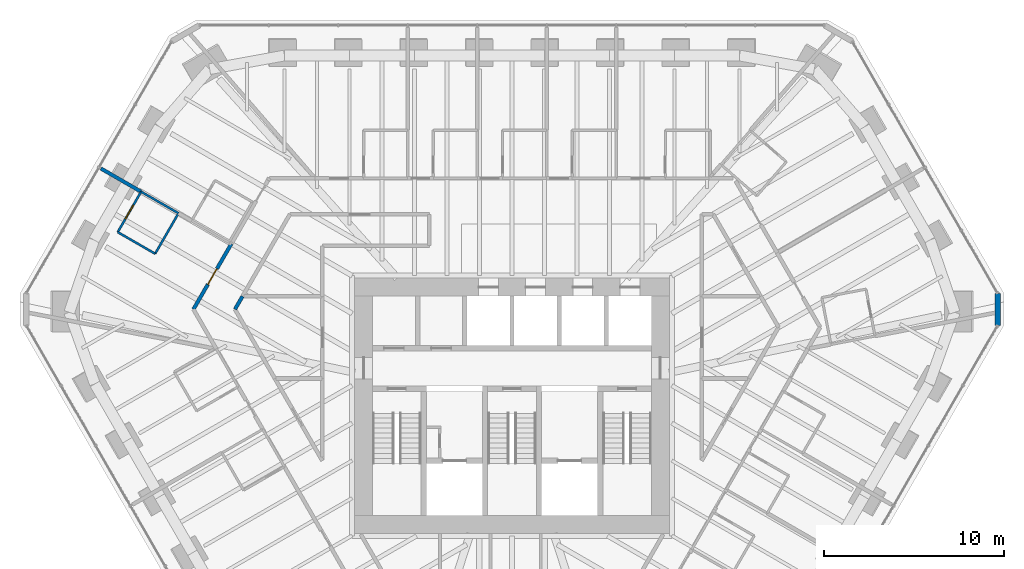
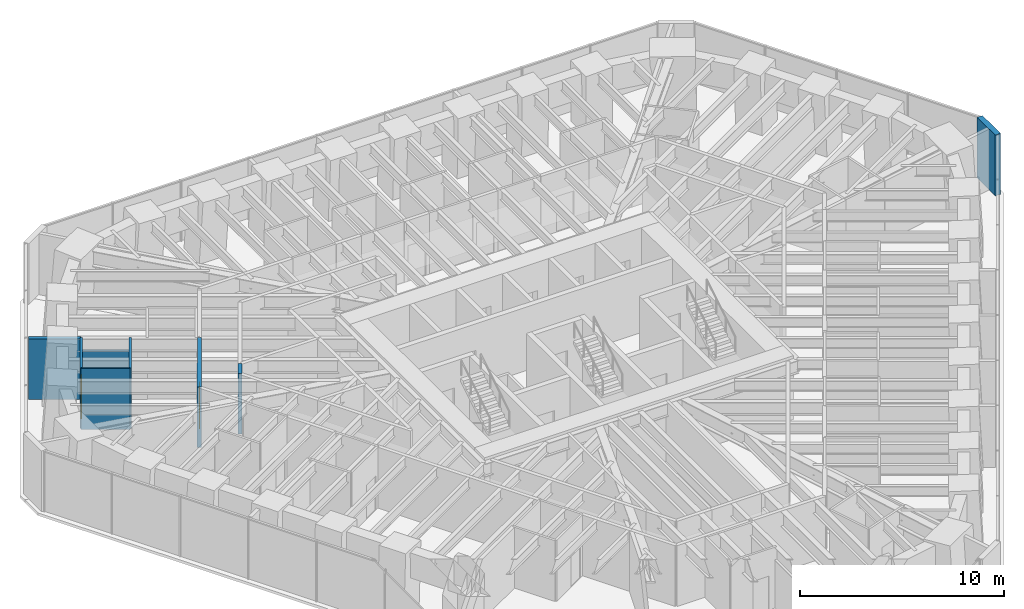
# One storey, part 14 of 17: 8 walls, 2 doors, 2 openings.
"""IFC4 building model written with IfcOpenShell, lengths in metres."""

import ifcopenshell
import ifcopenshell.guid

model = None  # the IFC model being written
_history = None  # IfcOwnerHistory: only IFC2X3 demands one
_inside = {}  # id of a spatial element -> (the spatial element, [elements in it])
_under = {}  # id of a project, library or spatial element -> (it, [spatial elements below it])
_declared = {}  # id of a project -> (the project, [libraries it declares])
_typed = {}  # id of a type object -> (the type object, [elements of that type])
_made_of = {}  # id of a material, layer set ... -> (it, [elements and type objects made of it])


def new_model(schema):
    """Start an empty IFC model of exactly this schema.

    Asked for "IFC4X3", IfcOpenShell would pick the latest addendum, in which some entities
    have other attributes; the version numbers below select the first issue.
    IFC2X3 requires an IfcOwnerHistory on every rooted entity: one is made here for all.
    """
    global model, _history
    if schema == "IFC4X3":
        model = ifcopenshell.file(schema_version=(4, 3, 0, 0))
    else:
        model = ifcopenshell.file(schema=schema)
    _inside.clear()
    _under.clear()
    _declared.clear()
    _typed.clear()
    _made_of.clear()
    _history = None
    if model.schema == "IFC2X3":
        org = make("IfcOrganization", Name="unknown")
        user = make(
            "IfcPersonAndOrganization",
            ThePerson=make("IfcPerson", FamilyName="unknown"),
            TheOrganization=org,
        )
        app = make(
            "IfcApplication",
            ApplicationDeveloper=org,
            Version="unknown",
            ApplicationFullName="unknown",
            ApplicationIdentifier="unknown",
        )
        _history = make(
            "IfcOwnerHistory",
            OwningUser=user,
            OwningApplication=app,
            ChangeAction="ADDED",
            CreationDate=0,
        )
    return model


def make(cls, **values):
    """One entity of the class cls with the attributes given. An attribute that is None is left unset."""
    return model.create_entity(
        cls, **{name: value for name, value in values.items() if value is not None}
    )


def rooted(cls, **values):
    """An entity with a GlobalId (a new one), such as an element, a storey or a relation."""
    return make(cls, GlobalId=ifcopenshell.guid.new(), OwnerHistory=_history, **values)


def si_unit(unit_type, name, prefix=None):
    """IfcSIUnit, for example si_unit("LENGTHUNIT", "METRE", prefix="MILLI")."""
    return make("IfcSIUnit", UnitType=unit_type, Prefix=prefix, Name=name)


def assignment(units):
    """IfcUnitAssignment: the units of a project."""
    return None if units is None else make("IfcUnitAssignment", Units=units)


def point(xyz):
    """IfcCartesianPoint."""
    return None if xyz is None else make("IfcCartesianPoint", Coordinates=xyz)


def direction(xyz):
    """IfcDirection."""
    return None if xyz is None else make("IfcDirection", DirectionRatios=xyz)


def frame(location, z_axis=None, x_axis=None):
    """IfcAxis2Placement3D, a coordinate frame: its origin and axes. An axis left out is left unset."""
    return make(
        "IfcAxis2Placement3D",
        Location=point(location),
        Axis=direction(z_axis),
        RefDirection=direction(x_axis),
    )


def frame_2d(location, x_axis=None):
    """IfcAxis2Placement2D, a coordinate frame in the plane: its origin and x axis."""
    return make(
        "IfcAxis2Placement2D", Location=point(location), RefDirection=direction(x_axis)
    )


def origin():
    """The frame at (0, 0, 0) with its axes left unset."""
    return frame((0.0, 0.0, 0.0))


def place(relative_to, where):
    """IfcLocalPlacement: puts the frame where relative to a parent placement (None: the world)."""
    return make(
        "IfcLocalPlacement", PlacementRelTo=relative_to, RelativePlacement=where
    )


def context(
    kind, dimensions, precision=None, world=None, true_north=None, identifier=None
):
    """IfcGeometricRepresentationContext, for example the 3D "Model" context."""
    return make(
        "IfcGeometricRepresentationContext",
        ContextIdentifier=identifier,
        ContextType=kind,
        CoordinateSpaceDimension=dimensions,
        Precision=precision,
        WorldCoordinateSystem=world,
        TrueNorth=true_north,
    )


def subcontext(parent, identifier, kind, view, scale=None):
    """IfcGeometricRepresentationSubContext, for example "Body" below "Model"."""
    return make(
        "IfcGeometricRepresentationSubContext",
        ContextIdentifier=identifier,
        ContextType=kind,
        ParentContext=parent,
        TargetScale=scale,
        TargetView=view,
    )


def project(units=None, contexts=None):
    """IfcProject with its units and contexts."""
    return rooted(
        "IfcProject",
        Name="project",
        RepresentationContexts=contexts,
        UnitsInContext=assignment(units),
    )


def spatial(cls, under=None, at=None, **own):
    """A site, building, storey or space (cls), placed at a placement, below another one or the project."""
    s = rooted(cls, ObjectPlacement=at, **own)
    if under is not None:
        _under.setdefault(under.id(), (under, []))[1].append(s)
    return s


def profile(cls, at=None, kind="AREA", **sizes):
    """A parametric profile (cls). Its sizes go by their IFC names, for example OverallWidth=200.0."""
    return make(cls, ProfileType=kind, Position=at, **sizes)


def rectangle(**sizes):
    """IfcRectangleProfileDef."""
    return profile("IfcRectangleProfileDef", **sizes)


def extrude(swept, where, along, depth):
    """IfcExtrudedAreaSolid: the profile swept, set in the frame where, extruded along a direction by depth."""
    return make(
        "IfcExtrudedAreaSolid",
        SweptArea=swept,
        Position=where,
        ExtrudedDirection=direction(along),
        Depth=depth,
    )


def shape(context_of_items, identifier, shape_type, items):
    """IfcShapeRepresentation: the items that make up one representation, for example the "Body"."""
    return make(
        "IfcShapeRepresentation",
        ContextOfItems=context_of_items,
        RepresentationIdentifier=identifier,
        RepresentationType=shape_type,
        Items=items,
    )


def material(Name=None, Category=None):
    """IfcMaterial."""
    return make("IfcMaterial", Name=Name, Category=Category)


def layer(
    of_material, thickness, ventilated=None, Name=None, Category=None, Priority=None
):
    """IfcMaterialLayer: one layer of a wall or slab, of a material (None: an air gap)."""
    return make(
        "IfcMaterialLayer",
        Material=of_material,
        LayerThickness=thickness,
        IsVentilated=ventilated,
        Name=Name,
        Category=Category,
        Priority=Priority,
    )


def layer_set(layers, Name=None):
    """IfcMaterialLayerSet."""
    return make("IfcMaterialLayerSet", MaterialLayers=layers, LayerSetName=Name)


def made_of(thing, what):
    """Note that an element or type object is made of a material, layer set ...; save() writes the relation."""
    if what is not None:
        _made_of.setdefault(what.id(), (what, []))[1].append(thing)
    return thing


def type_object(cls, material=None, **own):
    """A type object (cls), such as IfcWallType, which elements share."""
    return made_of(rooted(cls, **own), material)


def element(
    cls,
    number,
    at=None,
    inside=None,
    cuts=None,
    type_object=None,
    material=None,
    context=None,
    identifier="Body",
    shape_type=None,
    held_by="IfcProductDefinitionShape",
    body=None,
    shapes=None,
    **own,
):
    """One element of the class cls, such as IfcWall. Its Tag is "e" and its number.

    at: its placement. inside: the storey or other place that contains it. cuts: it is an
    opening in that element (IfcRelVoidsElement). A single representation is given by context,
    identifier, shape_type and body (its items); several are given by shapes. held_by: the class
    of the entity that holds the representations. save() writes the other relations.
    """
    e = rooted(cls, Tag="e%d" % number, ObjectPlacement=at, **own)
    if body is not None:
        shapes = [shape(context, identifier, shape_type, body)]
    if shapes is not None:
        e.Representation = make(held_by, Representations=shapes)
    if inside is not None:
        _inside.setdefault(inside.id(), (inside, []))[1].append(e)
    if cuts is not None:
        rooted(
            "IfcRelVoidsElement", RelatingBuildingElement=cuts, RelatedOpeningElement=e
        )
    if type_object is not None:
        _typed.setdefault(type_object.id(), (type_object, []))[1].append(e)
    return made_of(e, material)


def fill(opening, filler):
    """IfcRelFillsElement: the door or window that sits in an opening."""
    return rooted(
        "IfcRelFillsElement",
        RelatingOpeningElement=opening,
        RelatedBuildingElement=filler,
    )


def aggregate(whole, parts):
    """IfcRelAggregates: a whole, such as a stair, and the parts it consists of."""
    return rooted("IfcRelAggregates", RelatingObject=whole, RelatedObjects=parts)


def save(model, path):
    """Write the relations noted so far, then the file.

    IfcRelAggregates (storeys below a building ...), IfcRelContainedInSpatialStructure (elements
    in a storey), IfcRelDefinesByType, IfcRelAssociatesMaterial and IfcRelDeclares: one each for
    every whole, place, type object, material and project.
    """
    for whole, parts in _under.values():
        aggregate(whole, parts)
    for where, things in _inside.values():
        rooted(
            "IfcRelContainedInSpatialStructure",
            RelatedElements=things,
            RelatingStructure=where,
        )
    for kind, things in _typed.values():
        rooted("IfcRelDefinesByType", RelatedObjects=things, RelatingType=kind)
    for what, things in _made_of.values():
        rooted("IfcRelAssociatesMaterial", RelatedObjects=things, RelatingMaterial=what)
    for by, libraries in _declared.values():
        rooted("IfcRelDeclares", RelatingContext=by, RelatedDefinitions=libraries)
    model.write(path)


model = new_model("IFC4")

# Units and contexts
model_context = context("Model", 3, precision=1e-05, world=origin(), true_north=direction((0.0, 1.0)))
body_context = subcontext(model_context, "Body", "Model", "MODEL_VIEW")
ifc_project = project(units=[si_unit("LENGTHUNIT", "METRE"), si_unit("AREAUNIT", "SQUARE_METRE"), si_unit("VOLUMEUNIT", "CUBIC_METRE"), si_unit("PLANEANGLEUNIT", "RADIAN"), si_unit("MASSUNIT", "GRAM", prefix="KILO")], contexts=[model_context])

# Site, building, storey
site_placement = place(None, origin())
site = spatial("IfcSite", under=ifc_project, at=site_placement, CompositionType="ELEMENT")
building_placement = place(site_placement, origin())
building = spatial("IfcBuilding", under=site, at=building_placement, Name="Sandreach Pilgrim Tower", CompositionType="ELEMENT")
storey_placement = place(building_placement, frame((0.0, 0.0, 236.39990234375)))
storey = spatial("IfcBuildingStorey", under=building, at=storey_placement, Name="L59", CompositionType="ELEMENT", Elevation=236.39990234375)

# Wall
ifc_material_1 = material(Name="Moisture-resistant gypsum board on steel studs", Category="steel")
ifc_layer_1 = layer(ifc_material_1, 0.1201171875)
ifc_layer_set_1 = layer_set([ifc_layer_1], Name="Bathroom partition 120")
wall_type_1 = type_object("IfcWallType", Name="Bathroom partition 120", PredefinedType="PARTITIONING", material=ifc_layer_set_1)
wall_1_placement = place(storey_placement, frame((-21.929931640625, 9.659912109375, 0.0), z_axis=(0.0, 0.0, 1.0), x_axis=(0.866177122335, -0.499737123639, 0.0)))
element("IfcWall", 1, at=wall_1_placement, inside=storey, type_object=wall_type_1, Name="Bathroom partition L59-003", PredefinedType="PARTITIONING", context=body_context, shape_type="SweptSolid", body=[
    extrude(rectangle(XDim=2.401123046875, YDim=0.1201171875, at=frame_2d((1.20068359375, 0.0))), origin(), (0.0, 0.0, 1.0), 3.64013671875),
])

# Wall, opening, door
wall_2_placement = place(storey_placement, frame((-20.6298828125, 11.909912109375, 0.0), z_axis=(0.0, 0.0, 1.0), x_axis=(-0.500291685314, -0.865856933682, 0.0)))
wall_2 = element("IfcWall", 2, at=wall_2_placement, inside=storey, type_object=wall_type_1, Name="Bathroom partition L59-005", PredefinedType="PARTITIONING", context=body_context, shape_type="SweptSolid", body=[
    extrude(rectangle(XDim=2.5986328125, YDim=0.1201171875, at=frame_2d((1.29931640625, 0.0))), origin(), (0.0, 0.0, 1.0), 3.64013671875),
])
opening_1_placement = place(wall_2_placement, frame((0.85009765625, 0.0, 0.0)))
opening_1 = element("IfcOpeningElement", 3, at=opening_1_placement, cuts=wall_2, Name="Opening D09-18B", PredefinedType="OPENING", context=body_context, shape_type="SweptSolid", body=[
    extrude(rectangle(XDim=0.89990234375, YDim=2.030029296875, at=frame_2d((0.449951171875, 1.01513671875))), frame((0.0, 0.06005859375, 0.0), z_axis=(0.0, -1.0, 0.0), x_axis=(1.0, 0.0, 0.0)), (0.0, 0.0, 1.0), 0.1201171875),
])
ifc_material_2 = material(Name="Timber door, steel frame", Category="steel")
door_type_1 = type_object("IfcDoorType", Name="Bathroom door", OperationType="SINGLE_SWING_LEFT", PredefinedType="DOOR", material=ifc_material_2)
door_1_placement = place(opening_1_placement, origin())
door_1 = element("IfcDoor", 4, at=door_1_placement, inside=storey, type_object=door_type_1, Name="Door 5918B", OperationType="SINGLE_SWING_LEFT", OverallHeight=2.030029296875, OverallWidth=0.89990234375, PredefinedType="DOOR", context=body_context, shape_type="SweptSolid", body=[
    extrude(rectangle(XDim=0.89990234375, YDim=2.030029296875, at=frame_2d((0.449951171875, 1.01513671875))), frame((0.0, 0.02490234375, 0.0), z_axis=(0.0, -1.0, 0.0), x_axis=(1.0, 0.0, 0.0)), (0.0, 0.0, 1.0), 0.050048828125),
])
fill(opening_1, door_1)

# Walls
wall_3_placement = place(storey_placement, frame((-20.6298828125, 11.909912109375, 0.0), z_axis=(0.0, 0.0, 1.0), x_axis=(0.866177122335, -0.499737123639, 0.0)))
element("IfcWall", 5, at=wall_3_placement, inside=storey, type_object=wall_type_1, Name="Bathroom partition L59-006", PredefinedType="PARTITIONING", context=body_context, shape_type="SweptSolid", body=[
    extrude(rectangle(XDim=2.401123046875, YDim=0.1201171875, at=frame_2d((1.20068359375, 0.0))), origin(), (0.0, 0.0, 1.0), 2.878173828125),
])
wall_4_placement = place(storey_placement, frame((-19.85009765625, 8.4599609375, 0.0), z_axis=(0.0, 0.0, 1.0), x_axis=(0.500291685314, 0.865856933682, 0.0)))
element("IfcWall", 6, at=wall_4_placement, inside=storey, type_object=wall_type_1, Name="Bathroom partition L59-007", PredefinedType="PARTITIONING", context=body_context, shape_type="SweptSolid", body=[
    extrude(rectangle(XDim=2.5986328125, YDim=0.1201171875, at=frame_2d((1.29931640625, 0.0))), origin(), (0.0, 0.0, 1.0), 3.64013671875),
])

# Wall, opening, door
ifc_material_3 = material(Name="Gypsum board on steel studs, two layers each side", Category="steel")
ifc_layer_2 = layer(ifc_material_3, 0.199951171875)
ifc_layer_set_2 = layer_set([ifc_layer_2], Name="Corridor wall 200")
wall_type_2 = type_object("IfcWallType", Name="Corridor wall 200", PredefinedType="PARTITIONING", material=ifc_layer_set_2)
wall_5_placement = place(storey_placement, frame((-17.719970703125, 5.3701171875, 0.0), z_axis=(0.0, 0.0, 1.0), x_axis=(0.501491408171, 0.865162624904, 0.0)))
wall_5 = element("IfcWall", 7, at=wall_5_placement, inside=storey, type_object=wall_type_2, Name="Corridor wall L59-012", PredefinedType="PARTITIONING", context=body_context, shape_type="SweptSolid", body=[
    extrude(rectangle(XDim=4.207275390625, YDim=0.199951171875, at=frame_2d((2.103515625, 0.0))), origin(), (0.0, 0.0, 1.0), 3.64013671875),
])
opening_2_placement = place(wall_5_placement, frame((1.603759765625, 0.0, 0.0)))
opening_2 = element("IfcOpeningElement", 8, at=opening_2_placement, cuts=wall_5, Name="Opening D10-18", PredefinedType="OPENING", context=body_context, shape_type="SweptSolid", body=[
    extrude(rectangle(XDim=1.0, YDim=2.1298828125, at=frame_2d((0.5, 1.06494140625))), frame((0.0, 0.10009765625, 0.0), z_axis=(0.0, -1.0, 0.0), x_axis=(1.0, 0.0, 0.0)), (0.0, 0.0, 1.0), 0.199951171875),
])
ifc_material_4 = material(Name="Steel door and frame", Category="steel")
door_type_2 = type_object("IfcDoorType", Name="Guest room entry door", OperationType="SINGLE_SWING_LEFT", PredefinedType="DOOR", material=ifc_material_4)
door_2_placement = place(opening_2_placement, origin())
door_2 = element("IfcDoor", 9, at=door_2_placement, inside=storey, type_object=door_type_2, Name="Door 5918", OperationType="SINGLE_SWING_LEFT", OverallHeight=2.1298828125, OverallWidth=1.0, PredefinedType="DOOR", context=body_context, shape_type="SweptSolid", body=[
    extrude(rectangle(XDim=1.0, YDim=2.1298828125, at=frame_2d((0.5, 1.06494140625))), frame((0.0, 0.02490234375, 0.0), z_axis=(0.0, -1.0, 0.0), x_axis=(1.0, 0.0, 0.0)), (0.0, 0.0, 1.0), 0.050048828125),
])
fill(opening_2, door_2)

# Walls
wall_6_placement = place(storey_placement, frame((-15.409912109375, 5.3701171875, 0.0), z_axis=(0.0, 0.0, 1.0), x_axis=(0.503943891868, 0.863736391412, 0.0)))
element("IfcWall", 10, at=wall_6_placement, inside=storey, type_object=wall_type_2, Name="Corridor wall L59-022", PredefinedType="PARTITIONING", context=body_context, shape_type="SweptSolid", body=[
    extrude(rectangle(XDim=0.833251953125, YDim=0.199951171875, at=frame_2d((0.41650390625, 0.0))), origin(), (0.0, 0.0, 1.0), 3.64013671875),
])
ifc_material_5 = material(Name="Double steel stud acoustic wall, gypsum board", Category="steel")
ifc_layer_3 = layer(ifc_material_5, 0.199951171875)
ifc_layer_set_3 = layer_set([ifc_layer_3], Name="Party wall 200")
wall_type_3 = type_object("IfcWallType", Name="Party wall 200", PredefinedType="PARTITIONING", material=ifc_layer_set_3)
wall_7_placement = place(storey_placement, frame((-22.865966796875, 13.199951171875, 0.0), z_axis=(0.0, 0.0, 1.0), x_axis=(0.866187160499, -0.499719724432, 0.0)))
element("IfcWall", 11, at=wall_7_placement, inside=storey, type_object=wall_type_3, Name="Party wall L59-002", PredefinedType="PARTITIONING", context=body_context, shape_type="SweptSolid", body=[
    extrude(rectangle(XDim=2.58154296875, YDim=0.199951171875, at=frame_2d((1.290771484375, 0.0))), origin(), (0.0, 0.0, 1.0), 3.64013671875),
])
ifc_material_6 = material(Name="Terracotta rainscreen on concrete", Category="masonry")
ifc_layer_4 = layer(ifc_material_6, 0.300048828125)
ifc_layer_set_4 = layer_set([ifc_layer_4], Name="Terracotta chamfer pier")
wall_type_4 = type_object("IfcWallType", Name="Terracotta chamfer pier", PredefinedType="SOLIDWALL", material=ifc_layer_set_4)
wall_8_placement = place(storey_placement, frame((27.02001953125, 6.25, 0.0), z_axis=(0.0, 0.0, 1.0), x_axis=(0.0, -1.0, 0.0)))
element("IfcWall", 12, at=wall_8_placement, inside=storey, type_object=wall_type_4, Name="Chamfer pier L59 NE", PredefinedType="SOLIDWALL", context=body_context, shape_type="SweptSolid", body=[
    extrude(rectangle(XDim=1.77001953125, YDim=0.300048828125, at=frame_2d((0.885009765625, 0.0))), origin(), (0.0, 0.0, 1.0), 3.64013671875),
])

save(model, "model.ifc")
